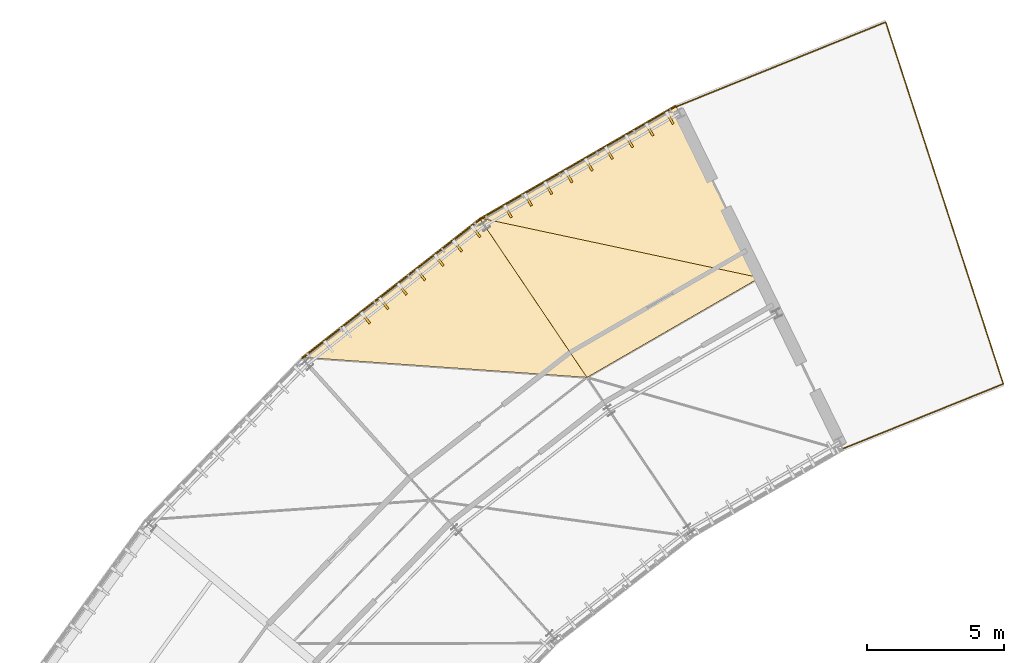
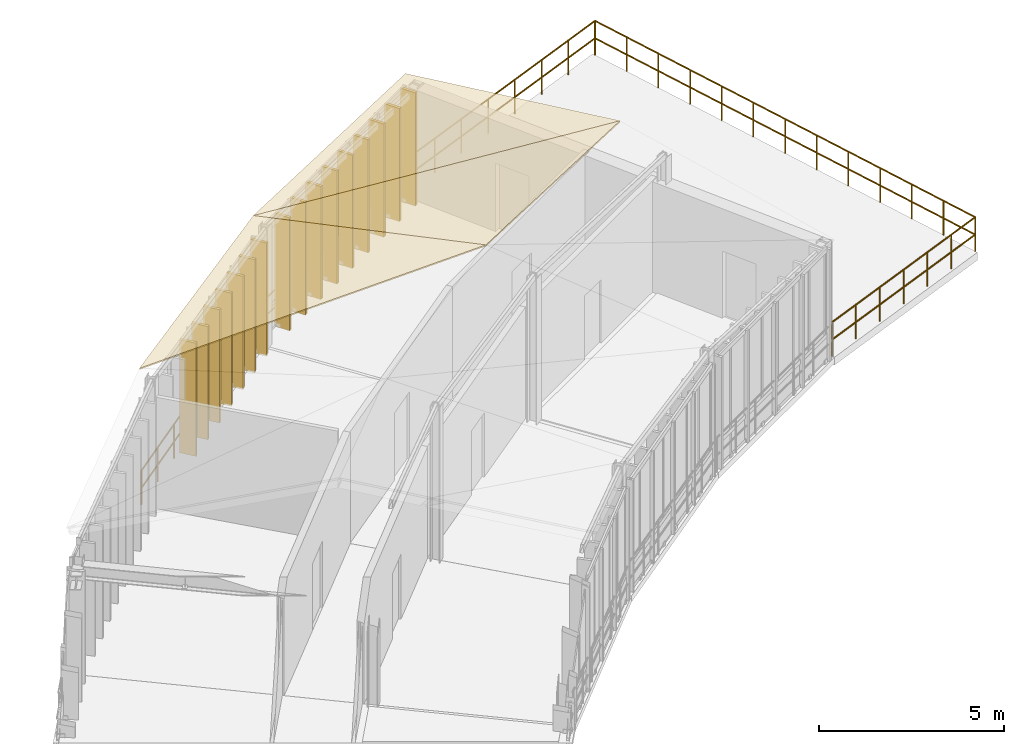
# One storey, part 25 of 25: 19 coverings, 3 railings.
"""IFC4 building model written with IfcOpenShell, lengths in metres."""

from ifc_helpers import new_model, si_unit, direction, frame, origin, origin_2d, place, context, subcontext, project, spatial, polyline, rectangle, circle, outline, extrude, material, layer, layer_set, type_object, element, save


model = new_model("IFC4")

# Units and contexts
model_context = context("Model", 3, precision=1e-05, world=origin(), true_north=direction((0.0, 1.0)))
body_context = subcontext(model_context, "Body", "Model", "MODEL_VIEW")
ifc_project = project(units=[si_unit("LENGTHUNIT", "METRE"), si_unit("AREAUNIT", "SQUARE_METRE"), si_unit("VOLUMEUNIT", "CUBIC_METRE"), si_unit("PLANEANGLEUNIT", "RADIAN"), si_unit("MASSUNIT", "GRAM", prefix="KILO"), si_unit("THERMODYNAMICTEMPERATUREUNIT", "KELVIN"), si_unit("POWERUNIT", "WATT")], contexts=[model_context])

# Site, building, storey
site_placement = place(None, origin())
site = spatial("IfcSite", under=ifc_project, at=site_placement, CompositionType="ELEMENT")
building_placement = place(site_placement, origin())
building = spatial("IfcBuilding", under=site, at=building_placement, Name="Solvatero Civic Police Headquarters", CompositionType="ELEMENT")
storey_placement = place(building_placement, frame((0.0, 0.0, 25.5)))
storey = spatial("IfcBuildingStorey", under=building, at=storey_placement, Name="L06", CompositionType="ELEMENT", Elevation=25.5)

# Coverings
ifc_material_1 = material(Name="Anodized Bronze Aluminium", Category="aluminium")
ifc_layer_1 = layer(ifc_material_1, 0.080078125)
ifc_layer_set_1 = layer_set([ifc_layer_1], Name="Anodized Bronze Aluminium")
covering_type_1 = type_object("IfcCoveringType", Name="COV-FIN-480", PredefinedType="CLADDING", material=ifc_layer_set_1)
for number, where, z_axis, x_axis, name in (
    (1, (67.94189453125, 78.535888671875, -0.02001953125), (0.0, 0.0, 1.0), (-0.866025403784, -0.5, 0.0), "Vertical Brise-Soleil Fin 1218"),
    (2, (67.205810546875, 78.111083984375, -0.02001953125), (0.0, 0.0, 1.0), (-0.866025403784, -0.5, 0.0), "Vertical Brise-Soleil Fin 1219"),
    (3, (66.4697265625, 77.68603515625, -0.02001953125), (0.0, 0.0, 1.0), (-0.866025403784, -0.5, 0.0), "Vertical Brise-Soleil Fin 1220"),
    (4, (65.733642578125, 77.260986328125, -0.02001953125), (0.0, 0.0, 1.0), (-0.866025403784, -0.5, 0.0), "Vertical Brise-Soleil Fin 1221"),
    (5, (64.99755859375, 76.8359375, -0.02001953125), (0.0, 0.0, 1.0), (-0.866025403784, -0.5, 0.0), "Vertical Brise-Soleil Fin 1222"),
    (6, (64.261474609375, 76.410888671875, -0.02001953125), (0.0, 0.0, 1.0), (-0.866025403784, -0.5, 0.0), "Vertical Brise-Soleil Fin 1223"),
    (7, (63.525390625, 75.986083984375, -0.02001953125), (0.0, 0.0, 1.0), (-0.866025403784, -0.5, 0.0), "Vertical Brise-Soleil Fin 1224"),
    (8, (62.789306640625, 75.56103515625, -0.02001953125), (0.0, 0.0, 1.0), (-0.866025403784, -0.5, 0.0), "Vertical Brise-Soleil Fin 1225"),
    (9, (62.052978515625, 75.135986328125, -0.02001953125), (0.0, 0.0, 1.0), (-0.866025403784, -0.5, 0.0), "Vertical Brise-Soleil Fin 1226"),
    (10, (60.891845703125, 74.404296875, -0.02001953125), (0.0, 0.0, 1.0), (-0.788010753607, -0.615661475326, 0.0), "Vertical Brise-Soleil Fin 1234"),
    (11, (60.22216796875, 73.881103515625, -0.02001953125), (0.0, 0.0, 1.0), (-0.788010753607, -0.615661475326, 0.0), "Vertical Brise-Soleil Fin 1235"),
    (12, (59.55224609375, 73.35791015625, -0.02001953125), (0.0, 0.0, 1.0), (-0.788010753607, -0.615661475326, 0.0), "Vertical Brise-Soleil Fin 1236"),
    (13, (58.882568359375, 72.83447265625, -0.02001953125), (0.0, 0.0, 1.0), (-0.788010753607, -0.615661475326, 0.0), "Vertical Brise-Soleil Fin 1237"),
    (14, (58.212646484375, 72.31103515625, -0.02001953125), (0.0, 0.0, 1.0), (-0.788010753607, -0.615661475326, 0.0), "Vertical Brise-Soleil Fin 1238"),
    (15, (57.542724609375, 71.787841796875, -0.02001953125), (0.0, 0.0, 1.0), (-0.788010753607, -0.615661475326, 0.0), "Vertical Brise-Soleil Fin 1239"),
    (16, (56.873046875, 71.264404296875, -0.02001953125), (0.0, 0.0, 1.0), (-0.788010753607, -0.615661475326, 0.0), "Vertical Brise-Soleil Fin 1240"),
):
    element("IfcCovering", number, at=place(storey_placement, frame(where, z_axis=z_axis, x_axis=x_axis)), inside=storey, type_object=covering_type_1, Name=name, PredefinedType="CLADDING", context=body_context, shape_type="SweptSolid", body=[
        extrude(rectangle(XDim=0.080078125, YDim=0.47998046875, at=origin_2d()), origin(), (0.0, 0.0, 1.0), 3.739990234375),
    ])
ifc_layer_2 = layer(ifc_material_1, 0.0400390625)
ifc_layer_set_2 = layer_set([ifc_layer_2], Name="Anodized Bronze Aluminium")
covering_type_2 = type_object("IfcCoveringType", Name="COV-RF-ZINC", PredefinedType="ROOFING", material=ifc_layer_set_2)
covering_1_placement = place(storey_placement, frame((71.20458984375, 72.7373046875, 5.070068359375), z_axis=(-0.05092941726, 0.160076691343, 0.985789859628), x_axis=(-0.432274159162, 0.886284118195, -0.16625135535)))
element("IfcCovering", 17, at=covering_1_placement, inside=storey, type_object=covering_type_2, Name="Operations Arc Standing-Seam Roof Covering B5 OUT1", PredefinedType="ROOFING", context=body_context, shape_type="SweptSolid", body=[
    extrude(outline(polyline([(0.0, 0.0), (7.098743819374958, -3.8163916471489756e-17), (6.482591553491596, 8.213641178239612), (0.0, 0.0)])), origin(), (0.0, 0.0, -1.0), 0.0400390625),
])
covering_2_placement = place(storey_placement, frame((71.20458984375, 72.7373046875, 5.070068359375), z_axis=(-0.04936769168, 0.166965544242, 0.984726021822), x_axis=(-0.974518935035, 0.207937193215, -0.084112834554)))
element("IfcCovering", 18, at=covering_2_placement, inside=storey, type_object=covering_type_2, Name="Operations Arc Standing-Seam Roof Covering B5 OUT2", PredefinedType="ROOFING", context=body_context, shape_type="SweptSolid", body=[
    extrude(outline(polyline([(0.0, 0.0), (10.463646336448589, -2.498001805406602e-16), (5.342919482904898, 4.916222008599273), (0.0, 0.0)])), origin(), (0.0, 0.0, -1.0), 0.0400390625),
])
covering_3_placement = place(storey_placement, frame((64.922119140625, 69.110107421875, 5.3701171875), z_axis=(-0.072711354999, 0.151434713865, 0.985789321453), x_axis=(-0.551448662839, 0.817474321256, -0.166253139339)))
element("IfcCovering", 19, at=covering_3_placement, inside=storey, type_object=covering_type_2, Name="Operations Arc Standing-Seam Roof Covering B6 OUT1", PredefinedType="ROOFING", context=body_context, shape_type="SweptSolid", body=[
    extrude(outline(polyline([(0.0, 0.0), (7.0986676458642135, -4.2674197509029455e-16), (6.4830056536147564, 8.213664534893276), (0.0, 0.0)])), origin(), (0.0, 0.0, -1.0), 0.0400390625),
])

# Railings
ifc_material_2 = material(Name="Anodized Bronze and Laminated Glass", Category="glass")
railing_type = type_object("IfcRailingType", Name="RL-BAL-115", PredefinedType="BALUSTRADE", material=ifc_material_2)
railing_1_placement = place(storey_placement, frame((74.23828125, 66.517578125, 0.0)))
element("IfcRailing", 20, at=railing_1_placement, inside=storey, type_object=railing_type, Name="L06 East Step-Back Terrace Perimeter Balustrade", PredefinedType="BALUSTRADE", context=body_context, shape_type="SweptSolid", body=[
    extrude(circle(Radius=0.02392578125, at=origin_2d()), frame((0.0, 0.0, 1.1259765625), z_axis=(0.927186098158, 0.374601040286, 0.0), x_axis=(-0.374601040286, 0.927186098158, 0.0)), (0.0, 0.0, 1.0), 6.289306640625),
    extrude(circle(Radius=0.02392578125, at=origin_2d()), frame((0.0, 0.0, 0.55078125), z_axis=(0.927186098158, 0.374601040286, 0.0), x_axis=(-0.374601040286, 0.927186098158, 0.0)), (0.0, 0.0, 1.0), 6.289306640625),
    extrude(circle(Radius=0.02392578125, at=origin_2d()), frame((5.831298828125, 2.35595703125, 1.1259765625), z_axis=(-0.309021453956, 0.951055067278, 0.0), x_axis=(-0.951055067278, -0.309021453956, 0.0)), (0.0, 0.0, 1.0), 13.840087890625),
    extrude(circle(Radius=0.02392578125, at=origin_2d()), frame((5.831298828125, 2.35595703125, 0.55078125), z_axis=(-0.309021453956, 0.951055067278, 0.0), x_axis=(-0.951055067278, -0.309021453956, 0.0)), (0.0, 0.0, 1.0), 13.840087890625),
    extrude(circle(Radius=0.02392578125, at=origin_2d()), frame((1.554443359375, 15.5185546875, 1.1259765625), z_axis=(-0.927182727236, -0.374609383645, 0.0), x_axis=(0.374609383645, -0.927182727236, 0.0)), (0.0, 0.0, 1.0), 8.22021484375),
    extrude(circle(Radius=0.02392578125, at=origin_2d()), frame((1.554443359375, 15.5185546875, 0.55078125), z_axis=(-0.927182727236, -0.374609383645, 0.0), x_axis=(0.374609383645, -0.927182727236, 0.0)), (0.0, 0.0, 1.0), 8.22021484375),
    extrude(circle(Radius=0.02099609375, at=origin_2d()), origin(), (0.0, 0.0, 1.0), 1.101806640625),
    extrude(circle(Radius=0.02099609375, at=origin_2d()), frame((0.971923828125, 0.392578125, 0.0)), (0.0, 0.0, 1.0), 1.101806640625),
    extrude(circle(Radius=0.02099609375, at=origin_2d()), frame((1.94384765625, 0.785400390625, 0.0)), (0.0, 0.0, 1.0), 1.101806640625),
    extrude(circle(Radius=0.02099609375, at=origin_2d()), frame((2.91552734375, 1.177978515625, 0.0)), (0.0, 0.0, 1.0), 1.101806640625),
    extrude(circle(Radius=0.02099609375, at=origin_2d()), frame((3.887451171875, 1.570556640625, 0.0)), (0.0, 0.0, 1.0), 1.101806640625),
    extrude(circle(Radius=0.02099609375, at=origin_2d()), frame((4.859375, 1.96337890625, 0.0)), (0.0, 0.0, 1.0), 1.101806640625),
    extrude(circle(Radius=0.02099609375, at=origin_2d()), frame((5.831298828125, 2.35595703125, 0.0)), (0.0, 0.0, 1.0), 1.101806640625),
    extrude(circle(Radius=0.02099609375, at=origin_2d()), frame((5.474853515625, 3.452880859375, 0.0)), (0.0, 0.0, 1.0), 1.101806640625),
    extrude(circle(Radius=0.02099609375, at=origin_2d()), frame((5.118408203125, 4.5498046875, 0.0)), (0.0, 0.0, 1.0), 1.101806640625),
    extrude(circle(Radius=0.02099609375, at=origin_2d()), frame((4.76220703125, 5.646484375, 0.0)), (0.0, 0.0, 1.0), 1.101806640625),
    extrude(circle(Radius=0.02099609375, at=origin_2d()), frame((4.40576171875, 6.743408203125, 0.0)), (0.0, 0.0, 1.0), 1.101806640625),
    extrude(circle(Radius=0.02099609375, at=origin_2d()), frame((4.04931640625, 7.84033203125, 0.0)), (0.0, 0.0, 1.0), 1.101806640625),
    extrude(circle(Radius=0.02099609375, at=origin_2d()), frame((3.69287109375, 8.937255859375, 0.0)), (0.0, 0.0, 1.0), 1.101806640625),
    extrude(circle(Radius=0.02099609375, at=origin_2d()), frame((3.33642578125, 10.0341796875, 0.0)), (0.0, 0.0, 1.0), 1.101806640625),
    extrude(circle(Radius=0.02099609375, at=origin_2d()), frame((2.97998046875, 11.131103515625, 0.0)), (0.0, 0.0, 1.0), 1.101806640625),
    extrude(circle(Radius=0.02099609375, at=origin_2d()), frame((2.62353515625, 12.22802734375, 0.0)), (0.0, 0.0, 1.0), 1.101806640625),
    extrude(circle(Radius=0.02099609375, at=origin_2d()), frame((2.267333984375, 13.32470703125, 0.0)), (0.0, 0.0, 1.0), 1.101806640625),
    extrude(circle(Radius=0.02099609375, at=origin_2d()), frame((1.910888671875, 14.421630859375, 0.0)), (0.0, 0.0, 1.0), 1.101806640625),
    extrude(circle(Radius=0.02099609375, at=origin_2d()), frame((1.554443359375, 15.5185546875, 0.0)), (0.0, 0.0, 1.0), 1.101806640625),
    extrude(circle(Radius=0.02099609375, at=origin_2d()), frame((0.465576171875, 15.07861328125, 0.0)), (0.0, 0.0, 1.0), 1.101806640625),
    extrude(circle(Radius=0.02099609375, at=origin_2d()), frame((-0.623046875, 14.638671875, 0.0)), (0.0, 0.0, 1.0), 1.101806640625),
    extrude(circle(Radius=0.02099609375, at=origin_2d()), frame((-1.7119140625, 14.19873046875, 0.0)), (0.0, 0.0, 1.0), 1.101806640625),
    extrude(circle(Radius=0.02099609375, at=origin_2d()), frame((-2.80078125, 13.759033203125, 0.0)), (0.0, 0.0, 1.0), 1.101806640625),
    extrude(circle(Radius=0.02099609375, at=origin_2d()), frame((-3.8896484375, 13.319091796875, 0.0)), (0.0, 0.0, 1.0), 1.101806640625),
    extrude(circle(Radius=0.02099609375, at=origin_2d()), frame((-4.978271484375, 12.879150390625, 0.0)), (0.0, 0.0, 1.0), 1.101806640625),
    extrude(circle(Radius=0.02099609375, at=origin_2d()), frame((-6.067138671875, 12.439208984375, 0.0)), (0.0, 0.0, 1.0), 1.101806640625),
])
railing_2_placement = place(storey_placement, frame((68.162353515625, 78.974853515625, 0.0)))
element("IfcRailing", 21, at=railing_2_placement, inside=storey, type_object=railing_type, Name="Glazed Facade Sill Balustrade RL-L06-ARCOUT-B05", PredefinedType="BALUSTRADE", context=body_context, shape_type="SweptSolid", body=[
    extrude(circle(Radius=0.02392578125, at=origin_2d()), frame((0.0, 0.0, 1.1259765625), z_axis=(-0.866027366358, -0.499996600708, 0.0), x_axis=(0.499996600708, -0.866027366358, 0.0)), (0.0, 0.0, 1.0), 8.22265625),
    extrude(circle(Radius=0.02392578125, at=origin_2d()), frame((0.0, 0.0, 0.55078125), z_axis=(-0.866027366358, -0.499996600708, 0.0), x_axis=(0.499996600708, -0.866027366358, 0.0)), (0.0, 0.0, 1.0), 8.22265625),
    extrude(circle(Radius=0.02099609375, at=origin_2d()), origin(), (0.0, 0.0, 1.0), 1.101806640625),
    extrude(circle(Radius=0.02099609375, at=origin_2d()), frame((-1.017333984375, -0.58740234375, 0.0)), (0.0, 0.0, 1.0), 1.101806640625),
    extrude(circle(Radius=0.02099609375, at=origin_2d()), frame((-2.03466796875, -1.174560546875, 0.0)), (0.0, 0.0, 1.0), 1.101806640625),
    extrude(circle(Radius=0.02099609375, at=origin_2d()), frame((-3.052001953125, -1.761962890625, 0.0)), (0.0, 0.0, 1.0), 1.101806640625),
    extrude(circle(Radius=0.02099609375, at=origin_2d()), frame((-4.069091796875, -2.349365234375, 0.0)), (0.0, 0.0, 1.0), 1.101806640625),
    extrude(circle(Radius=0.02099609375, at=origin_2d()), frame((-5.08642578125, -2.936767578125, 0.0)), (0.0, 0.0, 1.0), 1.101806640625),
    extrude(circle(Radius=0.02099609375, at=origin_2d()), frame((-6.103759765625, -3.52392578125, 0.0)), (0.0, 0.0, 1.0), 1.101806640625),
    extrude(circle(Radius=0.02099609375, at=origin_2d()), frame((-7.12109375, -4.111328125, 0.0)), (0.0, 0.0, 1.0), 1.101806640625),
])
railing_3_placement = place(storey_placement, frame((61.041259765625, 74.863525390625, 0.0)))
element("IfcRailing", 22, at=railing_3_placement, inside=storey, type_object=railing_type, Name="Glazed Facade Sill Balustrade RL-L06-ARCOUT-B06", PredefinedType="BALUSTRADE", context=body_context, shape_type="SweptSolid", body=[
    extrude(circle(Radius=0.02392578125, at=origin_2d()), frame((0.0, 0.0, 1.1259765625), z_axis=(-0.788023473491, -0.61564519427, 0.0), x_axis=(0.61564519427, -0.788023473491, 0.0)), (0.0, 0.0, 1.0), 8.22314453125),
    extrude(circle(Radius=0.02392578125, at=origin_2d()), frame((0.0, 0.0, 0.55078125), z_axis=(-0.788023473491, -0.61564519427, 0.0), x_axis=(0.61564519427, -0.788023473491, 0.0)), (0.0, 0.0, 1.0), 8.22314453125),
    extrude(circle(Radius=0.02099609375, at=origin_2d()), origin(), (0.0, 0.0, 1.0), 1.101806640625),
    extrude(circle(Radius=0.02099609375, at=origin_2d()), frame((-0.92578125, -0.72314453125, 0.0)), (0.0, 0.0, 1.0), 1.101806640625),
    extrude(circle(Radius=0.02099609375, at=origin_2d()), frame((-1.851318359375, -1.446533203125, 0.0)), (0.0, 0.0, 1.0), 1.101806640625),
    extrude(circle(Radius=0.02099609375, at=origin_2d()), frame((-2.777099609375, -2.169677734375, 0.0)), (0.0, 0.0, 1.0), 1.101806640625),
    extrude(circle(Radius=0.02099609375, at=origin_2d()), frame((-3.702880859375, -2.892822265625, 0.0)), (0.0, 0.0, 1.0), 1.101806640625),
    extrude(circle(Radius=0.02099609375, at=origin_2d()), frame((-4.628662109375, -3.615966796875, 0.0)), (0.0, 0.0, 1.0), 1.101806640625),
    extrude(circle(Radius=0.02099609375, at=origin_2d()), frame((-5.55419921875, -4.33935546875, 0.0)), (0.0, 0.0, 1.0), 1.101806640625),
    extrude(circle(Radius=0.02099609375, at=origin_2d()), frame((-6.47998046875, -5.0625, 0.0)), (0.0, 0.0, 1.0), 1.101806640625),
])

save(model, "model.ifc")
